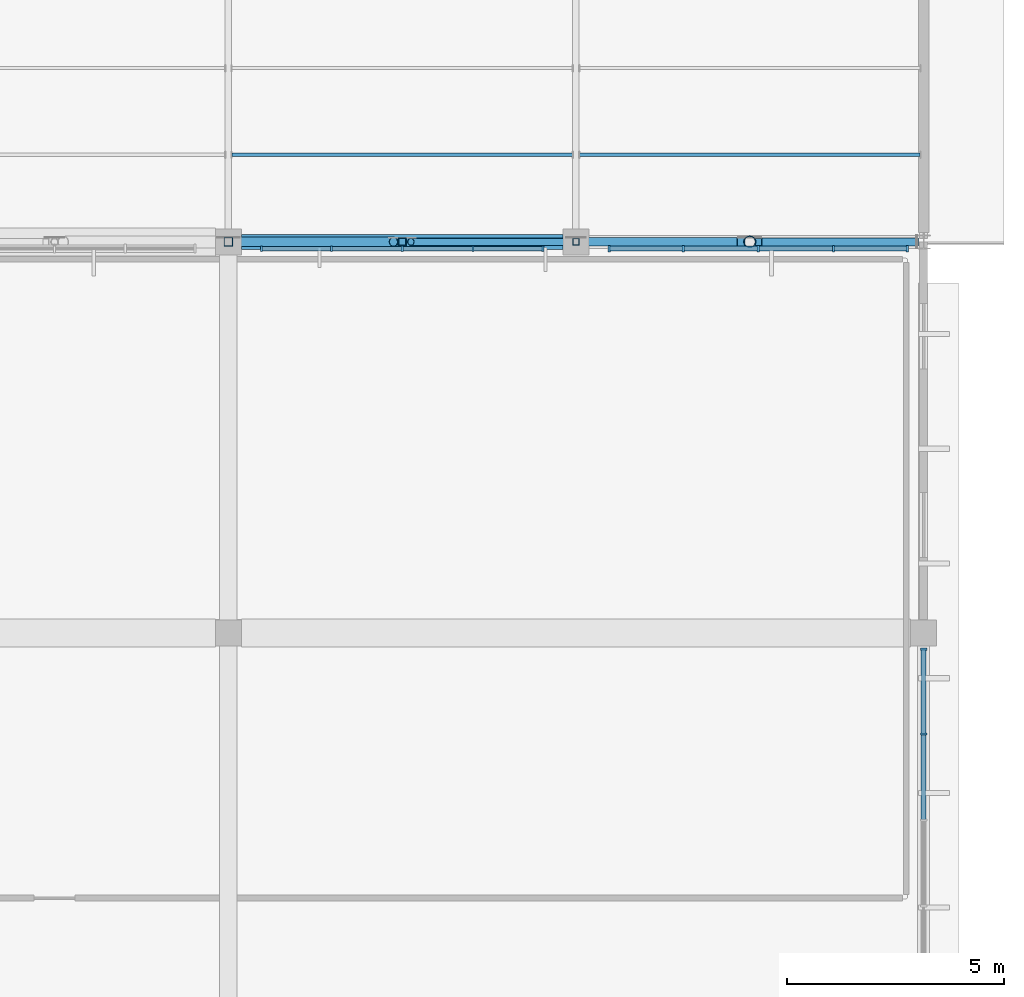
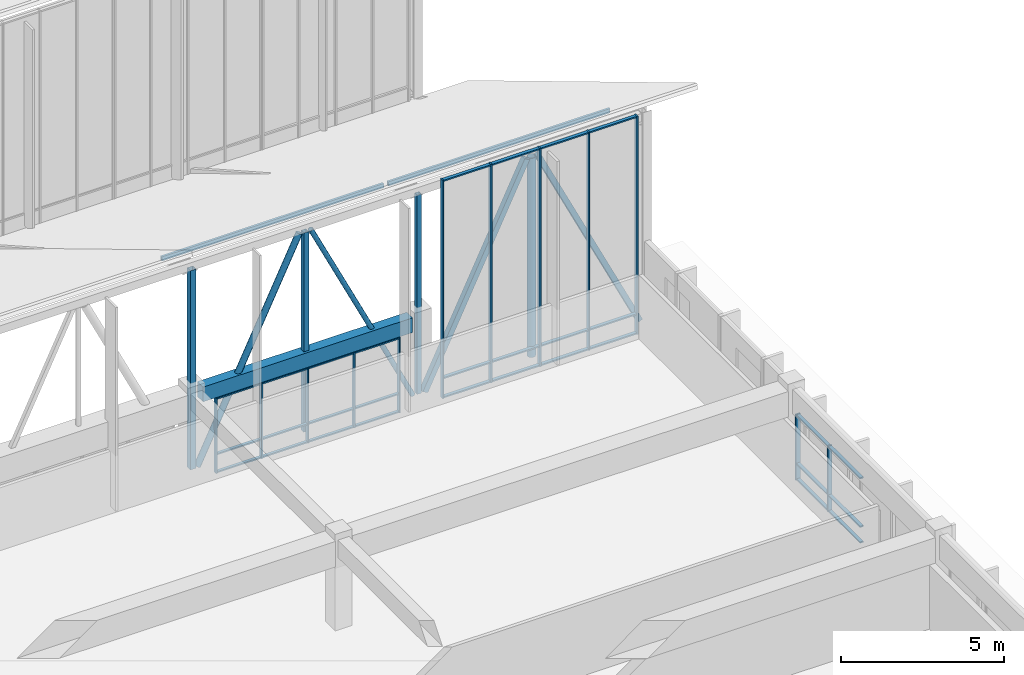
# One storey, part 36 of 155: 52 members, 1 beam, 3 elements without a shape of their own.
"""IFC4 building model written with IfcOpenShell, lengths in metres."""

import ifcopenshell
import ifcopenshell.guid

model = None  # the IFC model being written
_history = None  # IfcOwnerHistory: only IFC2X3 demands one
_inside = {}  # id of a spatial element -> (the spatial element, [elements in it])
_under = {}  # id of a project, library or spatial element -> (it, [spatial elements below it])
_declared = {}  # id of a project -> (the project, [libraries it declares])
_typed = {}  # id of a type object -> (the type object, [elements of that type])
_made_of = {}  # id of a material, layer set ... -> (it, [elements and type objects made of it])


def new_model(schema):
    """Start an empty IFC model of exactly this schema.

    Asked for "IFC4X3", IfcOpenShell would pick the latest addendum, in which some entities
    have other attributes; the version numbers below select the first issue.
    IFC2X3 requires an IfcOwnerHistory on every rooted entity: one is made here for all.
    """
    global model, _history
    if schema == "IFC4X3":
        model = ifcopenshell.file(schema_version=(4, 3, 0, 0))
    else:
        model = ifcopenshell.file(schema=schema)
    _inside.clear()
    _under.clear()
    _declared.clear()
    _typed.clear()
    _made_of.clear()
    _history = None
    if model.schema == "IFC2X3":
        org = make("IfcOrganization", Name="unknown")
        user = make(
            "IfcPersonAndOrganization",
            ThePerson=make("IfcPerson", FamilyName="unknown"),
            TheOrganization=org,
        )
        app = make(
            "IfcApplication",
            ApplicationDeveloper=org,
            Version="unknown",
            ApplicationFullName="unknown",
            ApplicationIdentifier="unknown",
        )
        _history = make(
            "IfcOwnerHistory",
            OwningUser=user,
            OwningApplication=app,
            ChangeAction="ADDED",
            CreationDate=0,
        )
    return model


def make(cls, **values):
    """One entity of the class cls with the attributes given. An attribute that is None is left unset."""
    return model.create_entity(
        cls, **{name: value for name, value in values.items() if value is not None}
    )


def rooted(cls, **values):
    """An entity with a GlobalId (a new one), such as an element, a storey or a relation."""
    return make(cls, GlobalId=ifcopenshell.guid.new(), OwnerHistory=_history, **values)


def si_unit(unit_type, name, prefix=None):
    """IfcSIUnit, for example si_unit("LENGTHUNIT", "METRE", prefix="MILLI")."""
    return make("IfcSIUnit", UnitType=unit_type, Prefix=prefix, Name=name)


def assignment(units):
    """IfcUnitAssignment: the units of a project."""
    return None if units is None else make("IfcUnitAssignment", Units=units)


def point(xyz):
    """IfcCartesianPoint."""
    return None if xyz is None else make("IfcCartesianPoint", Coordinates=xyz)


def direction(xyz):
    """IfcDirection."""
    return None if xyz is None else make("IfcDirection", DirectionRatios=xyz)


def frame(location, z_axis=None, x_axis=None):
    """IfcAxis2Placement3D, a coordinate frame: its origin and axes. An axis left out is left unset."""
    return make(
        "IfcAxis2Placement3D",
        Location=point(location),
        Axis=direction(z_axis),
        RefDirection=direction(x_axis),
    )


def frame_2d(location, x_axis=None):
    """IfcAxis2Placement2D, a coordinate frame in the plane: its origin and x axis."""
    return make(
        "IfcAxis2Placement2D", Location=point(location), RefDirection=direction(x_axis)
    )


def origin():
    """The frame at (0, 0, 0) with its axes left unset."""
    return frame((0.0, 0.0, 0.0))


def origin_2d():
    """The frame at (0, 0) in the plane with its x axis left unset."""
    return frame_2d((0.0, 0.0))


def place(relative_to, where):
    """IfcLocalPlacement: puts the frame where relative to a parent placement (None: the world)."""
    return make(
        "IfcLocalPlacement", PlacementRelTo=relative_to, RelativePlacement=where
    )


def context(
    kind, dimensions, precision=None, world=None, true_north=None, identifier=None
):
    """IfcGeometricRepresentationContext, for example the 3D "Model" context."""
    return make(
        "IfcGeometricRepresentationContext",
        ContextIdentifier=identifier,
        ContextType=kind,
        CoordinateSpaceDimension=dimensions,
        Precision=precision,
        WorldCoordinateSystem=world,
        TrueNorth=true_north,
    )


def subcontext(parent, identifier, kind, view, scale=None):
    """IfcGeometricRepresentationSubContext, for example "Body" below "Model"."""
    return make(
        "IfcGeometricRepresentationSubContext",
        ContextIdentifier=identifier,
        ContextType=kind,
        ParentContext=parent,
        TargetScale=scale,
        TargetView=view,
    )


def project(units=None, contexts=None):
    """IfcProject with its units and contexts."""
    return rooted(
        "IfcProject",
        Name="project",
        RepresentationContexts=contexts,
        UnitsInContext=assignment(units),
    )


def spatial(cls, under=None, at=None, **own):
    """A site, building, storey or space (cls), placed at a placement, below another one or the project."""
    s = rooted(cls, ObjectPlacement=at, **own)
    if under is not None:
        _under.setdefault(under.id(), (under, []))[1].append(s)
    return s


def profile(cls, at=None, kind="AREA", **sizes):
    """A parametric profile (cls). Its sizes go by their IFC names, for example OverallWidth=200.0."""
    return make(cls, ProfileType=kind, Position=at, **sizes)


def rectangle(**sizes):
    """IfcRectangleProfileDef."""
    return profile("IfcRectangleProfileDef", **sizes)


def hollow_rectangle(**sizes):
    """IfcRectangleHollowProfileDef."""
    return profile("IfcRectangleHollowProfileDef", **sizes)


def hollow_circle(**sizes):
    """IfcCircleHollowProfileDef."""
    return profile("IfcCircleHollowProfileDef", **sizes)


def extrude(swept, where, along, depth):
    """IfcExtrudedAreaSolid: the profile swept, set in the frame where, extruded along a direction by depth."""
    return make(
        "IfcExtrudedAreaSolid",
        SweptArea=swept,
        Position=where,
        ExtrudedDirection=direction(along),
        Depth=depth,
    )


def shape(context_of_items, identifier, shape_type, items):
    """IfcShapeRepresentation: the items that make up one representation, for example the "Body"."""
    return make(
        "IfcShapeRepresentation",
        ContextOfItems=context_of_items,
        RepresentationIdentifier=identifier,
        RepresentationType=shape_type,
        Items=items,
    )


def material(Name=None, Category=None):
    """IfcMaterial."""
    return make("IfcMaterial", Name=Name, Category=Category)


def material_profile(
    of_material, cross_section, Name=None, Category=None, Priority=None
):
    """IfcMaterialProfile: a cross section and its material."""
    return make(
        "IfcMaterialProfile",
        Name=Name,
        Material=of_material,
        Profile=cross_section,
        Priority=Priority,
        Category=Category,
    )


def profile_set(profiles, Name=None, composite=None):
    """IfcMaterialProfileSet."""
    return make(
        "IfcMaterialProfileSet",
        Name=Name,
        MaterialProfiles=profiles,
        CompositeProfile=composite,
    )


def made_of(thing, what):
    """Note that an element or type object is made of a material, layer set ...; save() writes the relation."""
    if what is not None:
        _made_of.setdefault(what.id(), (what, []))[1].append(thing)
    return thing


def type_object(cls, material=None, **own):
    """A type object (cls), such as IfcWallType, which elements share."""
    return made_of(rooted(cls, **own), material)


def element(
    cls,
    number,
    at=None,
    inside=None,
    cuts=None,
    type_object=None,
    material=None,
    context=None,
    identifier="Body",
    shape_type=None,
    held_by="IfcProductDefinitionShape",
    body=None,
    shapes=None,
    **own,
):
    """One element of the class cls, such as IfcWall. Its Tag is "e" and its number.

    at: its placement. inside: the storey or other place that contains it. cuts: it is an
    opening in that element (IfcRelVoidsElement). A single representation is given by context,
    identifier, shape_type and body (its items); several are given by shapes. held_by: the class
    of the entity that holds the representations. save() writes the other relations.
    """
    e = rooted(cls, Tag="e%d" % number, ObjectPlacement=at, **own)
    if body is not None:
        shapes = [shape(context, identifier, shape_type, body)]
    if shapes is not None:
        e.Representation = make(held_by, Representations=shapes)
    if inside is not None:
        _inside.setdefault(inside.id(), (inside, []))[1].append(e)
    if cuts is not None:
        rooted(
            "IfcRelVoidsElement", RelatingBuildingElement=cuts, RelatedOpeningElement=e
        )
    if type_object is not None:
        _typed.setdefault(type_object.id(), (type_object, []))[1].append(e)
    return made_of(e, material)


def aggregate(whole, parts):
    """IfcRelAggregates: a whole, such as a stair, and the parts it consists of."""
    return rooted("IfcRelAggregates", RelatingObject=whole, RelatedObjects=parts)


def save(model, path):
    """Write the relations noted so far, then the file.

    IfcRelAggregates (storeys below a building ...), IfcRelContainedInSpatialStructure (elements
    in a storey), IfcRelDefinesByType, IfcRelAssociatesMaterial and IfcRelDeclares: one each for
    every whole, place, type object, material and project.
    """
    for whole, parts in _under.values():
        aggregate(whole, parts)
    for where, things in _inside.values():
        rooted(
            "IfcRelContainedInSpatialStructure",
            RelatedElements=things,
            RelatingStructure=where,
        )
    for kind, things in _typed.values():
        rooted("IfcRelDefinesByType", RelatedObjects=things, RelatingType=kind)
    for what, things in _made_of.values():
        rooted("IfcRelAssociatesMaterial", RelatedObjects=things, RelatingMaterial=what)
    for by, libraries in _declared.values():
        rooted("IfcRelDeclares", RelatingContext=by, RelatedDefinitions=libraries)
    model.write(path)


model = new_model("IFC4")

# Units and contexts
model_context = context("Model", 3, precision=1e-05, world=origin(), true_north=direction((0.0, 1.0)))
body_context = subcontext(model_context, "Body", "Model", "MODEL_VIEW")
ifc_project = project(units=[si_unit("LENGTHUNIT", "METRE"), si_unit("AREAUNIT", "SQUARE_METRE"), si_unit("VOLUMEUNIT", "CUBIC_METRE"), si_unit("PLANEANGLEUNIT", "RADIAN"), si_unit("MASSUNIT", "GRAM", prefix="KILO")], contexts=[model_context])

# Site, building, storey
site_placement = place(None, origin())
site = spatial("IfcSite", under=ifc_project, at=site_placement, CompositionType="ELEMENT")
building_placement = place(site_placement, origin())
building = spatial("IfcBuilding", under=site, at=building_placement, Name="Larkveld Mobility Hub", CompositionType="ELEMENT")
storey_placement = place(building_placement, frame((0.0, 0.0, 8.39990234375)))
storey = spatial("IfcBuildingStorey", under=building, at=storey_placement, Name="L02", CompositionType="ELEMENT", Elevation=8.39990234375)

# Beam
ifc_material_1 = material(Name="Concrete C40/50", Category="concrete")
ifc_material_profile_1 = material_profile(ifc_material_1, rectangle(XDim=0.35009765625, YDim=0.550048828125, at=origin_2d()), Name="RC BM 350x550")
ifc_profile_set_1 = profile_set([ifc_material_profile_1], Name="Concrete C40/50")
beam_type = type_object("IfcBeamType", Name="BM-RC3555", PredefinedType="BEAM", material=ifc_profile_set_1)
beam_placement = place(storey_placement, frame((168.300048828125, 28.0, 3.085205078125), z_axis=(1.0, 0.0, 0.0), x_axis=(0.0, 1.0, 0.0)))
element("IfcBeam", 1, at=beam_placement, inside=storey, type_object=beam_type, Name="Primary E-W Girder L02-0511", PredefinedType="BEAM", context=body_context, shape_type="SweptSolid", body=[
    extrude(rectangle(XDim=0.35009765625, YDim=0.550048828125, at=origin_2d()), origin(), (0.0, 0.0, 1.0), 7.39990234375),
])

# Curtain wall, members
ifc_material_2 = material(Name="Anodised aluminium 6063-T6", Category="aluminium")
curtain_wall_type_1 = type_object("IfcCurtainWallType", Name="CW-SYS-01", PredefinedType="NOTDEFINED", material=ifc_material_2)
curtain_wall_1_placement = place(storey_placement, origin())
curtain_wall_1 = element("IfcCurtainWall", 2, at=curtain_wall_1_placement, inside=storey, type_object=curtain_wall_type_1, Name="Sawtooth South-Light Clerestory B1 CW-013", PredefinedType="NOTDEFINED")
ifc_material_profile_2 = material_profile(ifc_material_2, rectangle(XDim=0.050048828125, YDim=0.14990234375, at=origin_2d()), Name="ALU MULL 50x150")
ifc_profile_set_2 = profile_set([ifc_material_profile_2], Name="Anodised aluminium 6063-T6")
member_type_1 = type_object("IfcMemberType", Name="CW-MUL-01", PredefinedType="MULLION", material=ifc_profile_set_2)
member_1_placement = place(storey_placement, frame((176.764892578125, 27.844970703125, -0.001953125), z_axis=(0.0, 0.0, 1.0), x_axis=(1.0, 0.0, 0.0)))
member_1 = element("IfcMember", 3, at=member_1_placement, type_object=member_type_1, Name="CW01 mullion 1", PredefinedType="MULLION", context=body_context, shape_type="SweptSolid", body=[
    extrude(rectangle(XDim=0.050048828125, YDim=0.14990234375, at=origin_2d()), origin(), (0.0, 0.0, 1.0), 8.152099609375),
])
member_2_placement = place(storey_placement, frame((178.468017578125, 27.844970703125, -0.001953125), z_axis=(0.0, 0.0, 1.0), x_axis=(1.0, 0.0, 0.0)))
member_2 = element("IfcMember", 4, at=member_2_placement, type_object=member_type_1, Name="CW01 mullion 2", PredefinedType="MULLION", context=body_context, shape_type="SweptSolid", body=[
    extrude(rectangle(XDim=0.050048828125, YDim=0.14990234375, at=origin_2d()), origin(), (0.0, 0.0, 1.0), 8.152099609375),
])
member_3_placement = place(storey_placement, frame((180.195068359375, 27.844970703125, -0.001953125), z_axis=(0.0, 0.0, 1.0), x_axis=(1.0, 0.0, 0.0)))
member_3 = element("IfcMember", 5, at=member_3_placement, type_object=member_type_1, Name="CW01 mullion 3", PredefinedType="MULLION", context=body_context, shape_type="SweptSolid", body=[
    extrude(rectangle(XDim=0.050048828125, YDim=0.14990234375, at=origin_2d()), origin(), (0.0, 0.0, 1.0), 8.152099609375),
])
member_4_placement = place(storey_placement, frame((181.923095703125, 27.844970703125, -0.001953125), z_axis=(0.0, 0.0, 1.0), x_axis=(1.0, 0.0, 0.0)))
member_4 = element("IfcMember", 6, at=member_4_placement, type_object=member_type_1, Name="CW01 mullion 4", PredefinedType="MULLION", context=body_context, shape_type="SweptSolid", body=[
    extrude(rectangle(XDim=0.050048828125, YDim=0.14990234375, at=origin_2d()), origin(), (0.0, 0.0, 1.0), 8.152099609375),
])
member_5_placement = place(storey_placement, frame((183.625, 27.844970703125, -0.001953125), z_axis=(0.0, 0.0, 1.0), x_axis=(1.0, 0.0, 0.0)))
member_5 = element("IfcMember", 7, at=member_5_placement, type_object=member_type_1, Name="CW01 mullion 5", PredefinedType="MULLION", context=body_context, shape_type="SweptSolid", body=[
    extrude(rectangle(XDim=0.050048828125, YDim=0.14990234375, at=origin_2d()), origin(), (0.0, 0.0, 1.0), 8.152099609375),
])

curtain_wall_2_placement = place(storey_placement, origin())
curtain_wall_2 = element("IfcCurtainWall", 8, at=curtain_wall_2_placement, inside=storey, type_object=curtain_wall_type_1, Name="Service Wing East Curtain Wall L02 CW-109", PredefinedType="NOTDEFINED")
member_6_placement = place(storey_placement, frame((184.0, 16.672119140625, -0.001953125), z_axis=(0.0, 0.0, 1.0), x_axis=(0.0, 1.0, 0.0)))
member_6 = element("IfcMember", 9, at=member_6_placement, type_object=member_type_1, Name="CW01 mullion 4", PredefinedType="MULLION", context=body_context, shape_type="SweptSolid", body=[
    extrude(rectangle(XDim=0.050048828125, YDim=0.14990234375, at=origin_2d()), origin(), (0.0, 0.0, 1.0), 2.462158203125),
])
member_7_placement = place(storey_placement, frame((184.0, 18.625, -0.001953125), z_axis=(0.0, 0.0, 1.0), x_axis=(0.0, 1.0, 0.0)))
member_7 = element("IfcMember", 10, at=member_7_placement, type_object=member_type_1, Name="CW01 mullion 5", PredefinedType="MULLION", context=body_context, shape_type="SweptSolid", body=[
    extrude(rectangle(XDim=0.050048828125, YDim=0.14990234375, at=origin_2d()), origin(), (0.0, 0.0, 1.0), 2.462158203125),
])

curtain_wall_type_2 = type_object("IfcCurtainWallType", Name="CW-SYS-12", PredefinedType="NOTDEFINED", material=ifc_material_2)
curtain_wall_3_placement = place(storey_placement, origin())
curtain_wall_3 = element("IfcCurtainWall", 11, at=curtain_wall_3_placement, inside=storey, type_object=curtain_wall_type_2, Name="Sawtooth South-Light Clerestory B1 CW-012", PredefinedType="NOTDEFINED")
ifc_material_profile_3 = material_profile(ifc_material_2, rectangle(XDim=0.050048828125, YDim=0.1298828125, at=origin_2d()), Name="ALU MULL 50x130")
ifc_profile_set_3 = profile_set([ifc_material_profile_3], Name="Anodised aluminium 6063-T6")
member_type_2 = type_object("IfcMemberType", Name="CW-MUL-04", PredefinedType="MULLION", material=ifc_profile_set_3)
member_8_placement = place(storey_placement, frame((168.764892578125, 27.844970703125, -0.001953125), z_axis=(0.0, 0.0, 1.0), x_axis=(1.0, 0.0, 0.0)))
member_8 = element("IfcMember", 12, at=member_8_placement, type_object=member_type_2, Name="CW12 mullion 1", PredefinedType="MULLION", context=body_context, shape_type="SweptSolid", body=[
    extrude(rectangle(XDim=0.050048828125, YDim=0.1298828125, at=origin_2d()), origin(), (0.0, 0.0, 1.0), 2.81201171875),
])
member_9_placement = place(storey_placement, frame((170.3701171875, 27.844970703125, -0.001953125), z_axis=(0.0, 0.0, 1.0), x_axis=(1.0, 0.0, 0.0)))
member_9 = element("IfcMember", 13, at=member_9_placement, type_object=member_type_2, Name="CW12 mullion 2", PredefinedType="MULLION", context=body_context, shape_type="SweptSolid", body=[
    extrude(rectangle(XDim=0.050048828125, YDim=0.1298828125, at=origin_2d()), origin(), (0.0, 0.0, 1.0), 2.81201171875),
])
member_10_placement = place(storey_placement, frame((172.0, 27.844970703125, -0.001953125), z_axis=(0.0, 0.0, 1.0), x_axis=(1.0, 0.0, 0.0)))
member_10 = element("IfcMember", 14, at=member_10_placement, type_object=member_type_2, Name="CW12 mullion 3", PredefinedType="MULLION", context=body_context, shape_type="SweptSolid", body=[
    extrude(rectangle(XDim=0.050048828125, YDim=0.1298828125, at=origin_2d()), origin(), (0.0, 0.0, 1.0), 2.81201171875),
])
member_11_placement = place(storey_placement, frame((173.6298828125, 27.844970703125, -0.001953125), z_axis=(0.0, 0.0, 1.0), x_axis=(1.0, 0.0, 0.0)))
member_11 = element("IfcMember", 15, at=member_11_placement, type_object=member_type_2, Name="CW12 mullion 4", PredefinedType="MULLION", context=body_context, shape_type="SweptSolid", body=[
    extrude(rectangle(XDim=0.050048828125, YDim=0.1298828125, at=origin_2d()), origin(), (0.0, 0.0, 1.0), 2.81201171875),
])
member_12_placement = place(storey_placement, frame((175.235107421875, 27.844970703125, -0.001953125), z_axis=(0.0, 0.0, 1.0), x_axis=(1.0, 0.0, 0.0)))
member_12 = element("IfcMember", 16, at=member_12_placement, type_object=member_type_2, Name="CW12 mullion 5", PredefinedType="MULLION", context=body_context, shape_type="SweptSolid", body=[
    extrude(rectangle(XDim=0.050048828125, YDim=0.1298828125, at=origin_2d()), origin(), (0.0, 0.0, 1.0), 2.81201171875),
])

# Member
ifc_material_profile_4 = material_profile(ifc_material_2, rectangle(XDim=0.1201171875, YDim=0.050048828125, at=origin_2d()), Name="ALU TRAN 50x120")
ifc_profile_set_4 = profile_set([ifc_material_profile_4], Name="Anodised aluminium 6063-T6")
member_type_3 = type_object("IfcMemberType", Name="CW-TRN-01", PredefinedType="USERDEFINED", material=ifc_profile_set_4)
member_13_placement = place(storey_placement, frame((176.77490234375, 27.844970703125, 0.030029296875), z_axis=(1.0, 0.0, 0.0), x_axis=(0.0, 1.0, 0.0)))
member_13 = element("IfcMember", 17, at=member_13_placement, type_object=member_type_3, Name="CW01 transom 1.1", ObjectType="TRANSOM", PredefinedType="USERDEFINED", context=body_context, shape_type="SweptSolid", body=[
    extrude(rectangle(XDim=0.1201171875, YDim=0.050048828125, at=origin_2d()), origin(), (0.0, 0.0, 1.0), 1.677978515625),
])

member_14_placement = place(storey_placement, frame((176.77490234375, 27.844970703125, 0.75), z_axis=(1.0, 0.0, 0.0), x_axis=(0.0, 1.0, 0.0)))
member_14 = element("IfcMember", 18, at=member_14_placement, type_object=member_type_3, Name="CW01 transom 1.2", ObjectType="TRANSOM", PredefinedType="USERDEFINED", context=body_context, shape_type="SweptSolid", body=[
    extrude(rectangle(XDim=0.1201171875, YDim=0.050048828125, at=origin_2d()), origin(), (0.0, 0.0, 1.0), 1.677978515625),
])

member_15_placement = place(storey_placement, frame((176.77490234375, 27.844970703125, 8.1181640625), z_axis=(1.0, 0.0, 0.0), x_axis=(0.0, 1.0, 0.0)))
member_15 = element("IfcMember", 19, at=member_15_placement, type_object=member_type_3, Name="CW01 transom 1.3", ObjectType="TRANSOM", PredefinedType="USERDEFINED", context=body_context, shape_type="SweptSolid", body=[
    extrude(rectangle(XDim=0.1201171875, YDim=0.050048828125, at=origin_2d()), origin(), (0.0, 0.0, 1.0), 1.677978515625),
])

member_16_placement = place(storey_placement, frame((178.48291015625, 27.844970703125, 0.030029296875), z_axis=(1.0, 0.0, 0.0), x_axis=(0.0, 1.0, 0.0)))
member_16 = element("IfcMember", 20, at=member_16_placement, type_object=member_type_3, Name="CW01 transom 2.1", ObjectType="TRANSOM", PredefinedType="USERDEFINED", context=body_context, shape_type="SweptSolid", body=[
    extrude(rectangle(XDim=0.1201171875, YDim=0.050048828125, at=origin_2d()), origin(), (0.0, 0.0, 1.0), 1.697021484375),
])

member_17_placement = place(storey_placement, frame((178.48291015625, 27.844970703125, 0.75), z_axis=(1.0, 0.0, 0.0), x_axis=(0.0, 1.0, 0.0)))
member_17 = element("IfcMember", 21, at=member_17_placement, type_object=member_type_3, Name="CW01 transom 2.2", ObjectType="TRANSOM", PredefinedType="USERDEFINED", context=body_context, shape_type="SweptSolid", body=[
    extrude(rectangle(XDim=0.1201171875, YDim=0.050048828125, at=origin_2d()), origin(), (0.0, 0.0, 1.0), 1.697021484375),
])

member_18_placement = place(storey_placement, frame((178.48291015625, 27.844970703125, 8.1181640625), z_axis=(1.0, 0.0, 0.0), x_axis=(0.0, 1.0, 0.0)))
member_18 = element("IfcMember", 22, at=member_18_placement, type_object=member_type_3, Name="CW01 transom 2.3", ObjectType="TRANSOM", PredefinedType="USERDEFINED", context=body_context, shape_type="SweptSolid", body=[
    extrude(rectangle(XDim=0.1201171875, YDim=0.050048828125, at=origin_2d()), origin(), (0.0, 0.0, 1.0), 1.697021484375),
])

member_19_placement = place(storey_placement, frame((180.2099609375, 27.844970703125, 0.030029296875), z_axis=(1.0, 0.0, 0.0), x_axis=(0.0, 1.0, 0.0)))
member_19 = element("IfcMember", 23, at=member_19_placement, type_object=member_type_3, Name="CW01 transom 3.1", ObjectType="TRANSOM", PredefinedType="USERDEFINED", context=body_context, shape_type="SweptSolid", body=[
    extrude(rectangle(XDim=0.1201171875, YDim=0.050048828125, at=origin_2d()), origin(), (0.0, 0.0, 1.0), 1.697998046875),
])

member_20_placement = place(storey_placement, frame((180.2099609375, 27.844970703125, 0.75), z_axis=(1.0, 0.0, 0.0), x_axis=(0.0, 1.0, 0.0)))
member_20 = element("IfcMember", 24, at=member_20_placement, type_object=member_type_3, Name="CW01 transom 3.2", ObjectType="TRANSOM", PredefinedType="USERDEFINED", context=body_context, shape_type="SweptSolid", body=[
    extrude(rectangle(XDim=0.1201171875, YDim=0.050048828125, at=origin_2d()), origin(), (0.0, 0.0, 1.0), 1.697998046875),
])

member_21_placement = place(storey_placement, frame((180.2099609375, 27.844970703125, 8.1181640625), z_axis=(1.0, 0.0, 0.0), x_axis=(0.0, 1.0, 0.0)))
member_21 = element("IfcMember", 25, at=member_21_placement, type_object=member_type_3, Name="CW01 transom 3.3", ObjectType="TRANSOM", PredefinedType="USERDEFINED", context=body_context, shape_type="SweptSolid", body=[
    extrude(rectangle(XDim=0.1201171875, YDim=0.050048828125, at=origin_2d()), origin(), (0.0, 0.0, 1.0), 1.697998046875),
])

member_22_placement = place(storey_placement, frame((181.93798828125, 27.844970703125, 0.030029296875), z_axis=(1.0, 0.0, 0.0), x_axis=(0.0, 1.0, 0.0)))
member_22 = element("IfcMember", 26, at=member_22_placement, type_object=member_type_3, Name="CW01 transom 4.1", ObjectType="TRANSOM", PredefinedType="USERDEFINED", context=body_context, shape_type="SweptSolid", body=[
    extrude(rectangle(XDim=0.1201171875, YDim=0.050048828125, at=origin_2d()), origin(), (0.0, 0.0, 1.0), 1.677001953125),
])

member_23_placement = place(storey_placement, frame((181.93798828125, 27.844970703125, 0.75), z_axis=(1.0, 0.0, 0.0), x_axis=(0.0, 1.0, 0.0)))
member_23 = element("IfcMember", 27, at=member_23_placement, type_object=member_type_3, Name="CW01 transom 4.2", ObjectType="TRANSOM", PredefinedType="USERDEFINED", context=body_context, shape_type="SweptSolid", body=[
    extrude(rectangle(XDim=0.1201171875, YDim=0.050048828125, at=origin_2d()), origin(), (0.0, 0.0, 1.0), 1.677001953125),
])

member_24_placement = place(storey_placement, frame((181.93798828125, 27.844970703125, 8.1181640625), z_axis=(1.0, 0.0, 0.0), x_axis=(0.0, 1.0, 0.0)))
member_24 = element("IfcMember", 28, at=member_24_placement, type_object=member_type_3, Name="CW01 transom 4.3", ObjectType="TRANSOM", PredefinedType="USERDEFINED", context=body_context, shape_type="SweptSolid", body=[
    extrude(rectangle(XDim=0.1201171875, YDim=0.050048828125, at=origin_2d()), origin(), (0.0, 0.0, 1.0), 1.677001953125),
])

aggregate(curtain_wall_1, [member_1, member_2, member_3, member_4, member_5, member_13, member_14, member_15, member_16, member_17, member_18, member_19, member_20, member_21, member_22, member_23, member_24])

member_25_placement = place(storey_placement, frame((184.0, 14.7099609375, 0.030029296875), z_axis=(0.0, 1.0, 0.0), x_axis=(-1.0, 0.0, 0.0)))
member_25 = element("IfcMember", 29, at=member_25_placement, type_object=member_type_3, Name="CW01 transom 3.1", ObjectType="TRANSOM", PredefinedType="USERDEFINED", context=body_context, shape_type="SweptSolid", body=[
    extrude(rectangle(XDim=0.1201171875, YDim=0.050048828125, at=origin_2d()), origin(), (0.0, 0.0, 1.0), 1.947021484375),
])

member_26_placement = place(storey_placement, frame((184.0, 14.7099609375, 0.614013671875), z_axis=(0.0, 1.0, 0.0), x_axis=(-1.0, 0.0, 0.0)))
member_26 = element("IfcMember", 30, at=member_26_placement, type_object=member_type_3, Name="CW01 transom 3.2", ObjectType="TRANSOM", PredefinedType="USERDEFINED", context=body_context, shape_type="SweptSolid", body=[
    extrude(rectangle(XDim=0.1201171875, YDim=0.050048828125, at=origin_2d()), origin(), (0.0, 0.0, 1.0), 1.947021484375),
])

member_27_placement = place(storey_placement, frame((184.0, 14.7099609375, 2.427978515625), z_axis=(0.0, 1.0, 0.0), x_axis=(-1.0, 0.0, 0.0)))
member_27 = element("IfcMember", 31, at=member_27_placement, type_object=member_type_3, Name="CW01 transom 3.3", ObjectType="TRANSOM", PredefinedType="USERDEFINED", context=body_context, shape_type="SweptSolid", body=[
    extrude(rectangle(XDim=0.1201171875, YDim=0.050048828125, at=origin_2d()), origin(), (0.0, 0.0, 1.0), 1.947021484375),
])

member_28_placement = place(storey_placement, frame((184.0, 16.68798828125, 0.030029296875), z_axis=(0.0, 1.0, 0.0), x_axis=(-1.0, 0.0, 0.0)))
member_28 = element("IfcMember", 32, at=member_28_placement, type_object=member_type_3, Name="CW01 transom 4.1", ObjectType="TRANSOM", PredefinedType="USERDEFINED", context=body_context, shape_type="SweptSolid", body=[
    extrude(rectangle(XDim=0.1201171875, YDim=0.050048828125, at=origin_2d()), origin(), (0.0, 0.0, 1.0), 1.927001953125),
])

member_29_placement = place(storey_placement, frame((184.0, 16.68798828125, 0.614013671875), z_axis=(0.0, 1.0, 0.0), x_axis=(-1.0, 0.0, 0.0)))
member_29 = element("IfcMember", 33, at=member_29_placement, type_object=member_type_3, Name="CW01 transom 4.2", ObjectType="TRANSOM", PredefinedType="USERDEFINED", context=body_context, shape_type="SweptSolid", body=[
    extrude(rectangle(XDim=0.1201171875, YDim=0.050048828125, at=origin_2d()), origin(), (0.0, 0.0, 1.0), 1.927001953125),
])

member_30_placement = place(storey_placement, frame((184.0, 16.68798828125, 2.427978515625), z_axis=(0.0, 1.0, 0.0), x_axis=(-1.0, 0.0, 0.0)))
member_30 = element("IfcMember", 34, at=member_30_placement, type_object=member_type_3, Name="CW01 transom 4.3", ObjectType="TRANSOM", PredefinedType="USERDEFINED", context=body_context, shape_type="SweptSolid", body=[
    extrude(rectangle(XDim=0.1201171875, YDim=0.050048828125, at=origin_2d()), origin(), (0.0, 0.0, 1.0), 1.927001953125),
])

aggregate(curtain_wall_2, [member_6, member_7, member_25, member_26, member_27, member_28, member_29, member_30])

ifc_material_profile_5 = material_profile(ifc_material_2, rectangle(XDim=0.10009765625, YDim=0.050048828125, at=origin_2d()), Name="ALU TRAN 50x100")
ifc_profile_set_5 = profile_set([ifc_material_profile_5], Name="Anodised aluminium 6063-T6")
member_type_4 = type_object("IfcMemberType", Name="CW-TRN-04", PredefinedType="USERDEFINED", material=ifc_profile_set_5)
member_31_placement = place(storey_placement, frame((168.77490234375, 27.844970703125, 0.030029296875), z_axis=(1.0, 0.0, 0.0), x_axis=(0.0, 1.0, 0.0)))
member_31 = element("IfcMember", 35, at=member_31_placement, type_object=member_type_4, Name="CW12 transom 1.1", ObjectType="TRANSOM", PredefinedType="USERDEFINED", context=body_context, shape_type="SweptSolid", body=[
    extrude(rectangle(XDim=0.10009765625, YDim=0.050048828125, at=origin_2d()), origin(), (0.0, 0.0, 1.0), 1.580078125),
])

member_32_placement = place(storey_placement, frame((168.77490234375, 27.844970703125, 0.7021484375), z_axis=(1.0, 0.0, 0.0), x_axis=(0.0, 1.0, 0.0)))
member_32 = element("IfcMember", 36, at=member_32_placement, type_object=member_type_4, Name="CW12 transom 1.2", ObjectType="TRANSOM", PredefinedType="USERDEFINED", context=body_context, shape_type="SweptSolid", body=[
    extrude(rectangle(XDim=0.10009765625, YDim=0.050048828125, at=origin_2d()), origin(), (0.0, 0.0, 1.0), 1.580078125),
])

member_33_placement = place(storey_placement, frame((168.77490234375, 27.844970703125, 2.778076171875), z_axis=(1.0, 0.0, 0.0), x_axis=(0.0, 1.0, 0.0)))
member_33 = element("IfcMember", 37, at=member_33_placement, type_object=member_type_4, Name="CW12 transom 1.3", ObjectType="TRANSOM", PredefinedType="USERDEFINED", context=body_context, shape_type="SweptSolid", body=[
    extrude(rectangle(XDim=0.10009765625, YDim=0.050048828125, at=origin_2d()), origin(), (0.0, 0.0, 1.0), 1.580078125),
])

member_34_placement = place(storey_placement, frame((170.385009765625, 27.844970703125, 0.030029296875), z_axis=(1.0, 0.0, 0.0), x_axis=(0.0, 1.0, 0.0)))
member_34 = element("IfcMember", 38, at=member_34_placement, type_object=member_type_4, Name="CW12 transom 2.1", ObjectType="TRANSOM", PredefinedType="USERDEFINED", context=body_context, shape_type="SweptSolid", body=[
    extrude(rectangle(XDim=0.10009765625, YDim=0.050048828125, at=origin_2d()), origin(), (0.0, 0.0, 1.0), 1.60009765625),
])

member_35_placement = place(storey_placement, frame((170.385009765625, 27.844970703125, 0.7021484375), z_axis=(1.0, 0.0, 0.0), x_axis=(0.0, 1.0, 0.0)))
member_35 = element("IfcMember", 39, at=member_35_placement, type_object=member_type_4, Name="CW12 transom 2.2", ObjectType="TRANSOM", PredefinedType="USERDEFINED", context=body_context, shape_type="SweptSolid", body=[
    extrude(rectangle(XDim=0.10009765625, YDim=0.050048828125, at=origin_2d()), origin(), (0.0, 0.0, 1.0), 1.60009765625),
])

member_36_placement = place(storey_placement, frame((170.385009765625, 27.844970703125, 2.778076171875), z_axis=(1.0, 0.0, 0.0), x_axis=(0.0, 1.0, 0.0)))
member_36 = element("IfcMember", 40, at=member_36_placement, type_object=member_type_4, Name="CW12 transom 2.3", ObjectType="TRANSOM", PredefinedType="USERDEFINED", context=body_context, shape_type="SweptSolid", body=[
    extrude(rectangle(XDim=0.10009765625, YDim=0.050048828125, at=origin_2d()), origin(), (0.0, 0.0, 1.0), 1.60009765625),
])

member_37_placement = place(storey_placement, frame((172.014892578125, 27.844970703125, 0.030029296875), z_axis=(1.0, 0.0, 0.0), x_axis=(0.0, 1.0, 0.0)))
member_37 = element("IfcMember", 41, at=member_37_placement, type_object=member_type_4, Name="CW12 transom 3.1", ObjectType="TRANSOM", PredefinedType="USERDEFINED", context=body_context, shape_type="SweptSolid", body=[
    extrude(rectangle(XDim=0.10009765625, YDim=0.050048828125, at=origin_2d()), origin(), (0.0, 0.0, 1.0), 1.60009765625),
])

member_38_placement = place(storey_placement, frame((172.014892578125, 27.844970703125, 0.7021484375), z_axis=(1.0, 0.0, 0.0), x_axis=(0.0, 1.0, 0.0)))
member_38 = element("IfcMember", 42, at=member_38_placement, type_object=member_type_4, Name="CW12 transom 3.2", ObjectType="TRANSOM", PredefinedType="USERDEFINED", context=body_context, shape_type="SweptSolid", body=[
    extrude(rectangle(XDim=0.10009765625, YDim=0.050048828125, at=origin_2d()), origin(), (0.0, 0.0, 1.0), 1.60009765625),
])

member_39_placement = place(storey_placement, frame((172.014892578125, 27.844970703125, 2.778076171875), z_axis=(1.0, 0.0, 0.0), x_axis=(0.0, 1.0, 0.0)))
member_39 = element("IfcMember", 43, at=member_39_placement, type_object=member_type_4, Name="CW12 transom 3.3", ObjectType="TRANSOM", PredefinedType="USERDEFINED", context=body_context, shape_type="SweptSolid", body=[
    extrude(rectangle(XDim=0.10009765625, YDim=0.050048828125, at=origin_2d()), origin(), (0.0, 0.0, 1.0), 1.60009765625),
])

member_40_placement = place(storey_placement, frame((173.64501953125, 27.844970703125, 0.030029296875), z_axis=(1.0, 0.0, 0.0), x_axis=(0.0, 1.0, 0.0)))
member_40 = element("IfcMember", 44, at=member_40_placement, type_object=member_type_4, Name="CW12 transom 4.1", ObjectType="TRANSOM", PredefinedType="USERDEFINED", context=body_context, shape_type="SweptSolid", body=[
    extrude(rectangle(XDim=0.10009765625, YDim=0.050048828125, at=origin_2d()), origin(), (0.0, 0.0, 1.0), 1.580078125),
])

member_41_placement = place(storey_placement, frame((173.64501953125, 27.844970703125, 0.7021484375), z_axis=(1.0, 0.0, 0.0), x_axis=(0.0, 1.0, 0.0)))
member_41 = element("IfcMember", 45, at=member_41_placement, type_object=member_type_4, Name="CW12 transom 4.2", ObjectType="TRANSOM", PredefinedType="USERDEFINED", context=body_context, shape_type="SweptSolid", body=[
    extrude(rectangle(XDim=0.10009765625, YDim=0.050048828125, at=origin_2d()), origin(), (0.0, 0.0, 1.0), 1.580078125),
])

member_42_placement = place(storey_placement, frame((173.64501953125, 27.844970703125, 2.778076171875), z_axis=(1.0, 0.0, 0.0), x_axis=(0.0, 1.0, 0.0)))
member_42 = element("IfcMember", 46, at=member_42_placement, type_object=member_type_4, Name="CW12 transom 4.3", ObjectType="TRANSOM", PredefinedType="USERDEFINED", context=body_context, shape_type="SweptSolid", body=[
    extrude(rectangle(XDim=0.10009765625, YDim=0.050048828125, at=origin_2d()), origin(), (0.0, 0.0, 1.0), 1.580078125),
])

aggregate(curtain_wall_3, [member_8, member_9, member_10, member_11, member_12, member_31, member_32, member_33, member_34, member_35, member_36, member_37, member_38, member_39, member_40, member_41, member_42])

# Members
ifc_material_3 = material(Name="Steel S355JR", Category="steel")
ifc_material_profile_6 = material_profile(ifc_material_3, hollow_circle(Radius=0.084228515625, WallThickness=0.008056640625, at=origin_2d()), Name="CHS 168.3x8")
ifc_profile_set_6 = profile_set([ifc_material_profile_6], Name="Steel S355JR")
member_type_5 = type_object("IfcMemberType", Name="MB-BR-CHS168", PredefinedType="BRACE", material=ifc_profile_set_6)
member_43_placement = place(storey_placement, frame((172.199951171875, 28.0, 7.800048828125), z_axis=(0.435573281392, 0.0, -0.900153273914), x_axis=(0.0, 1.0, 0.0)))
element("IfcMember", 47, at=member_43_placement, inside=storey, type_object=member_type_5, Name="ROOF TRUSS T1 Web Diagonal 6", PredefinedType="BRACE", context=body_context, shape_type="SweptSolid", body=[
    extrude(hollow_circle(Radius=0.084228515625, WallThickness=0.008056640625, at=origin_2d()), origin(), (0.0, 0.0, 1.0), 8.26513671875),
])
ifc_material_profile_7 = material_profile(ifc_material_3, hollow_circle(Radius=0.109619140625, WallThickness=0.010009765625, at=origin_2d()), Name="CHS 219.1x10")
ifc_profile_set_7 = profile_set([ifc_material_profile_7], Name="Steel S355JR")
member_type_6 = type_object("IfcMemberType", Name="MB-BR-CHS219", PredefinedType="BRACE", material=ifc_profile_set_7)
member_44_placement = place(storey_placement, frame((168.199951171875, 28.0, 0.360107421875), z_axis=(0.435573281392, 0.0, 0.900153273914), x_axis=(0.0, 1.0, 0.0)))
element("IfcMember", 48, at=member_44_placement, inside=storey, type_object=member_type_6, Name="ROOF TRUSS T1 Web Diagonal 5", PredefinedType="BRACE", context=body_context, shape_type="SweptSolid", body=[
    extrude(hollow_circle(Radius=0.109619140625, WallThickness=0.010009765625, at=origin_2d()), origin(), (0.0, 0.0, 1.0), 8.26513671875),
])
ifc_material_profile_8 = material_profile(ifc_material_3, hollow_circle(Radius=0.136474609375, WallThickness=0.012451171875, at=origin_2d()), Name="CHS 273x12.5")
ifc_profile_set_8 = profile_set([ifc_material_profile_8], Name="Steel S355JR")
member_type_7 = type_object("IfcMemberType", Name="MB-BR-CHS273", PredefinedType="BRACE", material=ifc_profile_set_8)
member_45_placement = place(storey_placement, frame((180.0, 28.0, 0.360107421875), z_axis=(0.0, 0.0, 1.0), x_axis=(1.0, 0.0, 0.0)))
element("IfcMember", 49, at=member_45_placement, inside=storey, type_object=member_type_7, Name="ROOF TRUSS T1 Vertical Post 7", PredefinedType="BRACE", context=body_context, shape_type="SweptSolid", body=[
    extrude(hollow_circle(Radius=0.136474609375, WallThickness=0.012451171875, at=origin_2d()), origin(), (0.0, 0.0, 1.0), 7.43994140625),
])
ifc_material_profile_9 = material_profile(ifc_material_3, hollow_rectangle(XDim=0.14990234375, YDim=0.14990234375, WallThickness=0.008056640625, at=origin_2d()), Name="SHS 150x150x8")
ifc_profile_set_9 = profile_set([ifc_material_profile_9], Name="Steel S355JR")
member_type_8 = type_object("IfcMemberType", Name="MB-BR-SHS150", PredefinedType="BRACE", material=ifc_profile_set_9)
member_46_placement = place(storey_placement, frame((176.0, 28.0, 0.360107421875), z_axis=(0.0, 0.0, 1.0), x_axis=(1.0, 0.0, 0.0)))
element("IfcMember", 50, at=member_46_placement, inside=storey, type_object=member_type_8, Name="ROOF TRUSS T1 Vertical Post 6", PredefinedType="BRACE", context=body_context, shape_type="SweptSolid", body=[
    extrude(hollow_rectangle(XDim=0.14990234375, YDim=0.14990234375, WallThickness=0.008056640625, at=origin_2d()), origin(), (0.0, 0.0, 1.0), 7.43994140625),
])
ifc_material_profile_10 = material_profile(ifc_material_3, hollow_rectangle(XDim=0.179931640625, YDim=0.179931640625, WallThickness=0.010009765625, at=origin_2d()), Name="SHS 180x180x10")
ifc_profile_set_10 = profile_set([ifc_material_profile_10], Name="Steel S355JR")
member_type_9 = type_object("IfcMemberType", Name="MB-BR-SHS180", PredefinedType="BRACE", material=ifc_profile_set_10)
member_47_placement = place(storey_placement, frame((172.0, 28.0, 0.360107421875), z_axis=(0.0, 0.0, 1.0), x_axis=(1.0, 0.0, 0.0)))
element("IfcMember", 51, at=member_47_placement, inside=storey, type_object=member_type_9, Name="ROOF TRUSS T1 Vertical Post 5", PredefinedType="BRACE", context=body_context, shape_type="SweptSolid", body=[
    extrude(hollow_rectangle(XDim=0.179931640625, YDim=0.179931640625, WallThickness=0.010009765625, at=origin_2d()), origin(), (0.0, 0.0, 1.0), 7.43994140625),
])
member_48_placement = place(storey_placement, frame((180.199951171875, 28.0, 7.800048828125), z_axis=(0.435573281392, 0.0, -0.900153273914), x_axis=(0.0, 1.0, 0.0)))
element("IfcMember", 52, at=member_48_placement, inside=storey, type_object=member_type_9, Name="ROOF TRUSS T1 Web Diagonal 8", PredefinedType="BRACE", context=body_context, shape_type="SweptSolid", body=[
    extrude(hollow_rectangle(XDim=0.179931640625, YDim=0.179931640625, WallThickness=0.010009765625, at=origin_2d()), origin(), (0.0, 0.0, 1.0), 8.26513671875),
])
ifc_material_profile_11 = material_profile(ifc_material_3, hollow_rectangle(XDim=0.199951171875, YDim=0.199951171875, WallThickness=0.010009765625, at=origin_2d()), Name="SHS 200x200x10")
ifc_profile_set_11 = profile_set([ifc_material_profile_11], Name="Steel S355JR")
member_type_10 = type_object("IfcMemberType", Name="MB-BR-SHS200", PredefinedType="BRACE", material=ifc_profile_set_11)
member_49_placement = place(storey_placement, frame((168.0, 28.0, 0.360107421875), z_axis=(0.0, 0.0, 1.0), x_axis=(1.0, 0.0, 0.0)))
element("IfcMember", 53, at=member_49_placement, inside=storey, type_object=member_type_10, Name="ROOF TRUSS T1 Vertical Post 4", PredefinedType="BRACE", context=body_context, shape_type="SweptSolid", body=[
    extrude(hollow_rectangle(XDim=0.199951171875, YDim=0.199951171875, WallThickness=0.010009765625, at=origin_2d()), origin(), (0.0, 0.0, 1.0), 7.43994140625),
])
member_50_placement = place(storey_placement, frame((176.199951171875, 28.0, 0.360107421875), z_axis=(0.435573281392, 0.0, 0.900153273914), x_axis=(0.0, 1.0, 0.0)))
element("IfcMember", 54, at=member_50_placement, inside=storey, type_object=member_type_10, Name="ROOF TRUSS T1 Web Diagonal 7", PredefinedType="BRACE", context=body_context, shape_type="SweptSolid", body=[
    extrude(hollow_rectangle(XDim=0.199951171875, YDim=0.199951171875, WallThickness=0.010009765625, at=origin_2d()), origin(), (0.0, 0.0, 1.0), 8.26513671875),
])
ifc_material_profile_12 = material_profile(ifc_material_3, hollow_rectangle(XDim=0.080078125, YDim=0.159912109375, WallThickness=0.008056640625, at=origin_2d()), Name="RHS 160x80x8")
ifc_profile_set_12 = profile_set([ifc_material_profile_12], Name="Steel S355JR")
member_type_11 = type_object("IfcMemberType", Name="MB-PR-RHS160", PredefinedType="PURLIN", material=ifc_profile_set_12)
for number, where, z_axis, x_axis, name in (
    (55, (168.080078125, 30.0, 6.927001953125), (1.0, 0.0, 0.0), (0.0, 1.0, 0.0), "Sawtooth Roof Purlin B1-1.3"),
    (56, (176.080078125, 30.0, 6.927001953125), (1.0, 0.0, 0.0), (0.0, 1.0, 0.0), "Sawtooth Roof Purlin B1-1.4"),
):
    element("IfcMember", number, at=place(storey_placement, frame(where, z_axis=z_axis, x_axis=x_axis)), inside=storey, type_object=member_type_11, Name=name, PredefinedType="PURLIN", context=body_context, shape_type="SweptSolid", body=[
        extrude(hollow_rectangle(XDim=0.080078125, YDim=0.159912109375, WallThickness=0.008056640625, at=origin_2d()), origin(), (0.0, 0.0, 1.0), 7.83984375),
    ])

save(model, "model.ifc")
